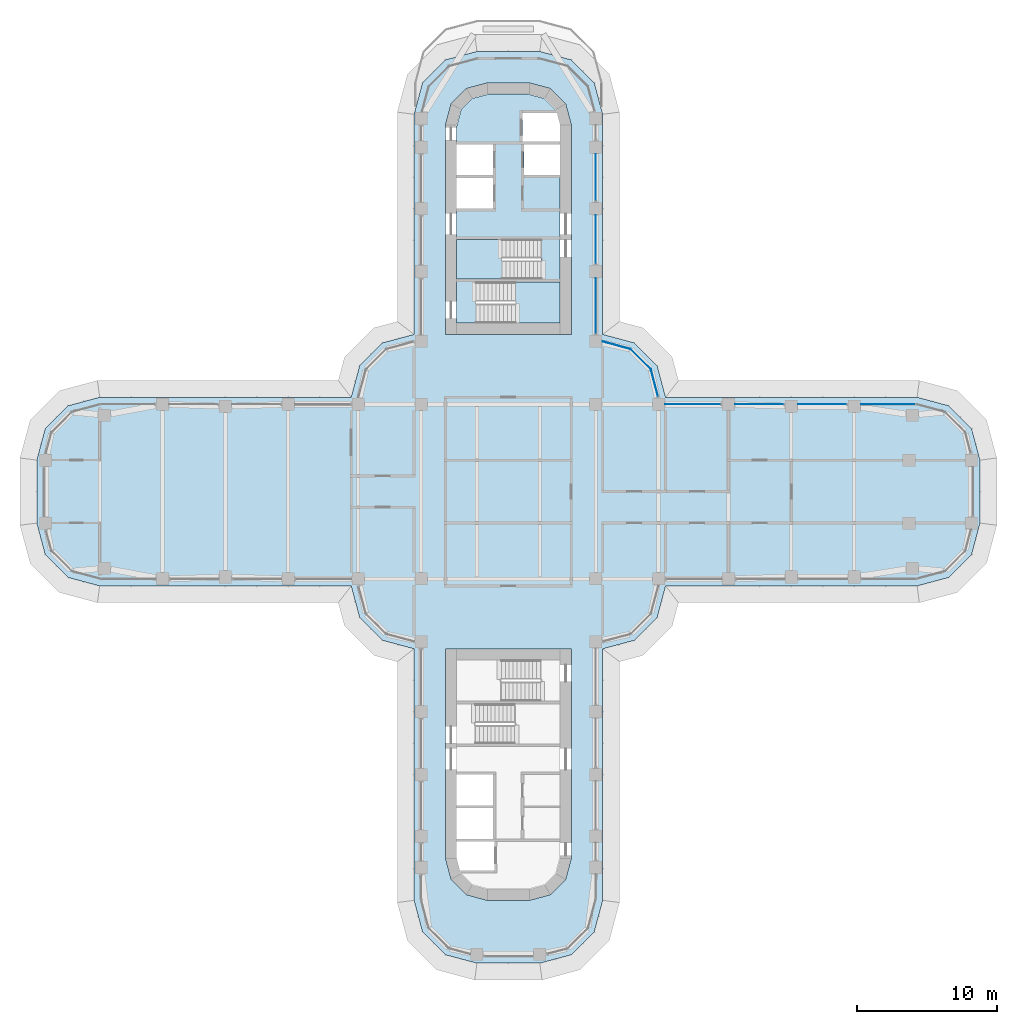
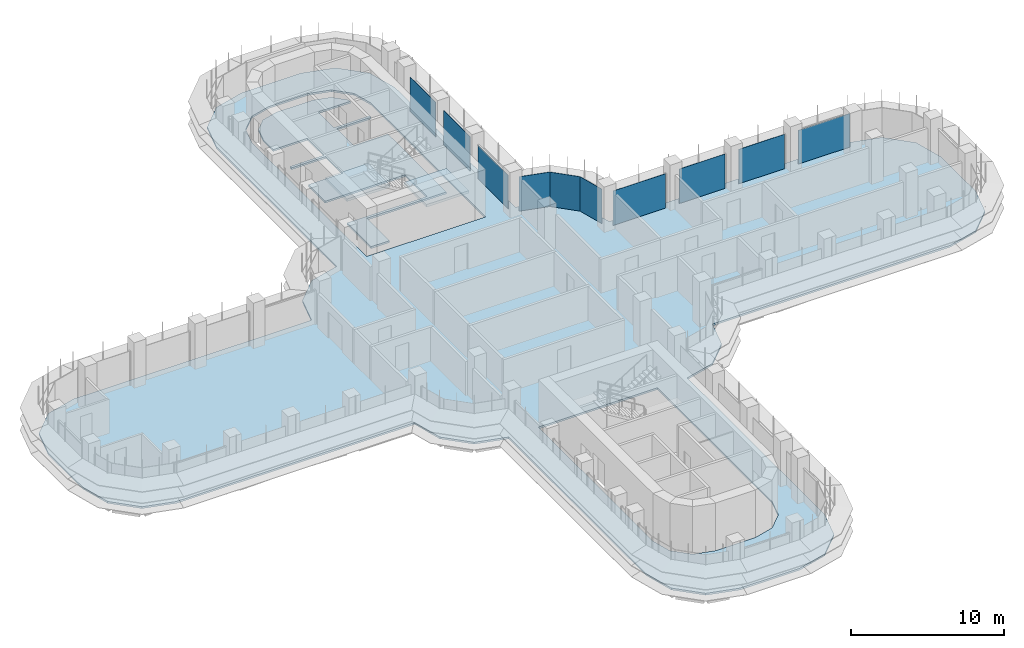
# One storey, part 14 of 22: 10 plates, 4 slabs, 7 elements without a shape of their own.
"""IFC4 building model written with IfcOpenShell, lengths in metres."""

from ifc_helpers import new_model, si_unit, direction, frame, origin, place, context, subcontext, project, spatial, polyline, outline, extrude, source, transform, mapped, material, layer, layer_set, type_object, element, aggregate, save


model = new_model("IFC4")

# Units and contexts
model_context = context("Model", 3, precision=1e-05, world=origin(), true_north=direction((0.0, 1.0)))
body_context = subcontext(model_context, "Body", "Model", "MODEL_VIEW")
ifc_project = project(units=[si_unit("LENGTHUNIT", "METRE"), si_unit("AREAUNIT", "SQUARE_METRE"), si_unit("VOLUMEUNIT", "CUBIC_METRE"), si_unit("PLANEANGLEUNIT", "RADIAN"), si_unit("MASSUNIT", "GRAM", prefix="KILO")], contexts=[model_context])

# Site, building, storey
site_placement = place(None, origin())
site = spatial("IfcSite", under=ifc_project, at=site_placement, CompositionType="ELEMENT")
building_placement = place(site_placement, origin())
building = spatial("IfcBuilding", under=site, at=building_placement, Name="Zarbagh Exchange Tower", CompositionType="ELEMENT")
storey_placement = place(building_placement, frame((0.0, 0.0, 94.199951171875)))
storey = spatial("IfcBuildingStorey", under=building, at=storey_placement, Name="L21", CompositionType="ELEMENT", Elevation=94.199951171875)

# Slabs
ifc_material_1 = material(Name="Concrete C40/50", Category="concrete")
ifc_layer_1 = layer(ifc_material_1, 0.14990234375)
ifc_layer_set_1 = layer_set([ifc_layer_1], Name="Composite floor slab 150 C40/50")
slab_type_1 = type_object("IfcSlabType", Name="Composite floor slab 150 C40/50", PredefinedType="FLOOR", material=ifc_layer_set_1)
slab_1_placement = place(storey_placement, frame((0.0, 0.0, -0.14990234375)))
element("IfcSlab", 1, at=slab_1_placement, inside=storey, type_object=slab_type_1, Name="S5 composite floor slab", PredefinedType="FLOOR", context=body_context, shape_type="SweptSolid", body=[
    extrude(outline(polyline([(-2.25, -33.75), (-4.5, -33.147216796875), (-6.147216796875, -31.5), (-6.75, -29.25), (-6.75, -11.25), (-9.0, -10.647216796875), (-10.647216796875, -9.0), (-11.25, -6.75), (-29.25, -6.75), (-31.5, -6.147216796875), (-33.147216796875, -4.5), (-33.75, -2.25), (-33.75, 2.25), (-33.147216796875, 4.5), (-31.5, 6.147216796875), (-29.25, 6.75), (-11.25, 6.75), (-10.647216796875, 9.0), (-9.0, 10.647216796875), (-6.75, 11.25), (-6.75, 27.0), (-6.147216796875, 29.25), (-4.5, 30.897216796875), (-2.25, 31.5), (2.25, 31.5), (4.5, 30.897216796875), (6.147216796875, 29.25), (6.75, 27.0), (6.75, 11.25), (9.0, 10.647216796875), (10.647216796875, 9.0), (11.25, 6.75), (29.25, 6.75), (31.5, 6.147216796875), (33.147216796875, 4.5), (33.75, 2.25), (33.75, -2.25), (33.147216796875, -4.5), (31.5, -6.147216796875), (29.25, -6.75), (11.25, -6.75), (10.647216796875, -9.0), (9.0, -10.647216796875), (6.75, -11.25), (6.75, -29.25), (6.147216796875, -31.5), (4.5, -33.147216796875), (2.25, -33.75), (-2.25, -33.75)]), holes=[polyline([(4.5, 11.25), (4.5, 26.25), (4.09814453125, 27.75), (3.0, 28.84814453125), (1.5, 29.25), (-1.5, 29.25), (-3.0, 28.84814453125), (-4.09814453125, 27.75), (-4.5, 26.25), (-4.5, 11.25), (4.5, 11.25)]), polyline([(-1.5, -29.25), (1.5, -29.25), (3.0, -28.84814453125), (4.09814453125, -27.75), (4.5, -26.25), (4.5, -11.25), (-4.5, -11.25), (-4.5, -26.25), (-4.09814453125, -27.75), (-3.0, -28.84814453125), (-1.5, -29.25)])]), origin(), (0.0, 0.0, 1.0), 0.14990234375),
])
ifc_layer_2 = layer(ifc_material_1, 0.14990234375)
ifc_layer_set_2 = layer_set([ifc_layer_2], Name="Core floor slab 150 C40/50")
slab_type_2 = type_object("IfcSlabType", Name="Core floor slab 150 C40/50", PredefinedType="FLOOR", material=ifc_layer_set_2)
slab_2_placement = place(storey_placement, frame((0.0, 0.0, -0.14990234375)))
element("IfcSlab", 2, at=slab_2_placement, inside=storey, type_object=slab_type_2, Name="S17 core N", PredefinedType="FLOOR", context=body_context, shape_type="SweptSolid", body=[
    extrude(outline(polyline([(-3.699951171875, 12.050048828125), (-3.699951171875, 15.199951171875), (2.35009765625, 15.199951171875), (2.35009765625, 18.050048828125), (-3.699951171875, 18.050048828125), (-3.699951171875, 20.25), (-1.10009765625, 20.25), (-1.10009765625, 22.449951171875), (-3.699951171875, 22.449951171875), (-3.699951171875, 22.64990234375), (-1.10009765625, 22.64990234375), (-1.10009765625, 24.85009765625), (-3.699951171875, 24.85009765625), (-3.699951171875, 26.144775390625), (-3.380859375, 27.3359375), (-2.5859375, 28.130859375), (-1.394775390625, 28.449951171875), (1.394775390625, 28.449951171875), (2.5859375, 28.130859375), (3.380859375, 27.3359375), (3.646484375, 26.3447265625), (3.444091796875, 27.10009765625), (1.0, 27.10009765625), (1.0, 25.050048828125), (3.699951171875, 25.050048828125), (3.699951171875, 24.85009765625), (1.10009765625, 24.85009765625), (1.10009765625, 22.64990234375), (3.699951171875, 22.64990234375), (3.699951171875, 15.0), (-2.300048828125, 15.0), (-2.300048828125, 12.050048828125), (-3.699951171875, 12.050048828125)])), origin(), (0.0, 0.0, 1.0), 0.14990234375),
])

# Stair, slab
stair_type = type_object("IfcStairType", Name="Exit stair two-flight half-turn", PredefinedType="HALF_TURN_STAIR", material=ifc_material_1)
stair_1_placement = place(storey_placement, origin())
stair_1 = element("IfcStair", 3, at=stair_1_placement, inside=storey, type_object=stair_type, Name="exit stair ST1", PredefinedType="HALF_TURN_STAIR")
ifc_layer_3 = layer(ifc_material_1, 0.199951171875)
ifc_layer_set_3 = layer_set([ifc_layer_3], Name="Stair landing 200 mm")
slab_type_3 = type_object("IfcSlabType", Name="Stair landing 200 mm", PredefinedType="LANDING", material=ifc_layer_set_3)
slab_3_placement = place(storey_placement, frame((0.0, 0.0, 1.699951171875)))
slab_3 = element("IfcSlab", 4, at=slab_3_placement, type_object=slab_type_3, Name="ST1 landing 1", PredefinedType="LANDING", context=body_context, shape_type="SweptSolid", body=[
    extrude(outline(polyline([(-0.449951171875, 18.050048828125), (-3.699951171875, 18.050048828125), (-3.699951171875, 15.199951171875), (-0.449951171875, 15.199951171875), (-0.449951171875, 18.050048828125)])), origin(), (0.0, 0.0, 1.0), 0.2001953125),
])
aggregate(stair_1, [slab_3])

stair_2_placement = place(storey_placement, origin())
stair_2 = element("IfcStair", 5, at=stair_2_placement, inside=storey, type_object=stair_type, Name="exit stair ST2", PredefinedType="HALF_TURN_STAIR")
slab_4_placement = place(storey_placement, frame((0.0, 0.0, 1.699951171875)))
slab_4 = element("IfcSlab", 6, at=slab_4_placement, type_object=slab_type_3, Name="ST2 landing 1", PredefinedType="LANDING", context=body_context, shape_type="SweptSolid", body=[
    extrude(outline(polyline([(0.5, 12.050048828125), (3.699951171875, 12.050048828125), (3.699951171875, 15.0), (0.5, 15.0), (0.5, 12.050048828125)])), origin(), (0.0, 0.0, 1.0), 0.2001953125),
])
aggregate(stair_2, [slab_4])

# Curtain wall, plate
ifc_material_2 = material(Name="Anodised aluminium frame and glazing", Category="aluminium")
curtain_wall_type = type_object("IfcCurtainWallType", Name="CWA Ribbon glazing, lower zones", PredefinedType="NOTDEFINED", material=ifc_material_2)
curtain_wall_1_placement = place(storey_placement, origin())
curtain_wall_1 = element("IfcCurtainWall", 7, at=curtain_wall_1_placement, inside=storey, type_object=curtain_wall_type, Name="CWA18 curtain wall", PredefinedType="NOTDEFINED")
ifc_material_3 = material(Name="Low-e double glazed unit, 6+12+6 mm")
ifc_layer_4 = layer(ifc_material_3, 0.028076171875)
ifc_layer_set_4 = layer_set([ifc_layer_4], Name="PAA Glazing panel, Low-e double glazed unit, 6+12+6 mm")
plate_type = type_object("IfcPlateType", Name="PAA Glazing panel, Low-e double glazed unit, 6+12+6 mm", PredefinedType="CURTAIN_PANEL", material=ifc_layer_set_4)
shared_shape_1 = source(origin(), body_context, "Body", "SweptSolid", [
    extrude(outline(polyline([(0.0, -0.013916015625), (2.061279296875, -0.013916015625), (2.061279296875, 0.013916015625), (0.0, 0.013916015625), (0.0, -0.013916015625)])), origin(), (0.0, 0.0, 1.0), 2.75),
])
placement = place(storey_placement, origin())
plate_1 = element("IfcPlate", 8, at=placement, type_object=plate_type, Name="CWA18 glazing panel 1.1", PredefinedType="CURTAIN_PANEL", context=body_context, shape_type="MappedRepresentation", body=[
    mapped(shared_shape_1, transform((10.19873046875, 8.7412109375, 0.0), x_axis=(-0.707106781187, 0.707106781187, 0.0), y_axis=(-0.707106781187, -0.707106781187, 0.0), z_axis=(0.0, 0.0, 1.0))),
])
aggregate(curtain_wall_1, [plate_1])

curtain_wall_2_placement = place(storey_placement, origin())
curtain_wall_2 = element("IfcCurtainWall", 9, at=curtain_wall_2_placement, inside=storey, type_object=curtain_wall_type, Name="CWA49 curtain wall", PredefinedType="NOTDEFINED")
shared_shape_2 = source(origin(), body_context, "Body", "SweptSolid", [
    extrude(outline(polyline([(0.0, -0.013916015625), (3.360107421875, -0.013916015625), (3.360107421875, 0.013916015625), (0.0, 0.013916015625), (0.0, -0.013916015625)])), origin(), (0.0, 0.0, 1.0), 2.75),
])
plate_2 = element("IfcPlate", 10, at=placement, type_object=plate_type, Name="CWA49 glazing panel 3.1", PredefinedType="CURTAIN_PANEL", context=body_context, shape_type="MappedRepresentation", body=[
    mapped(shared_shape_2, transform((6.25, 20.800048828125, 0.0), x_axis=(0.0, 1.0, 0.0), y_axis=(-1.0, 0.0, 0.0), z_axis=(0.0, 0.0, 1.0))),
])

# Curtain wall, plates
curtain_wall_3_placement = place(storey_placement, origin())
curtain_wall_3 = element("IfcCurtainWall", 11, at=curtain_wall_3_placement, inside=storey, type_object=curtain_wall_type, Name="CWA16 curtain wall", PredefinedType="NOTDEFINED")
shared_shape_3 = source(origin(), body_context, "Body", "SweptSolid", [
    extrude(outline(polyline([(0.0, -0.013916015625), (3.4599609375, -0.013916015625), (3.4599609375, 0.013916015625), (0.0, 0.013916015625), (0.0, -0.013916015625)])), origin(), (0.0, 0.0, 1.0), 2.75),
])
plate_3 = element("IfcPlate", 12, at=placement, type_object=plate_type, Name="CWA16 glazing panel 2.1", PredefinedType="CURTAIN_PANEL", context=body_context, shape_type="MappedRepresentation", body=[
    mapped(shared_shape_3, transform((24.199951171875, 6.25, 0.0), x_axis=(-1.0, 0.0, 0.0), y_axis=(0.0, -1.0, 0.0), z_axis=(0.0, 0.0, 1.0))),
])
plate_4 = element("IfcPlate", 13, at=placement, type_object=plate_type, Name="CWA16 glazing panel 3.1", PredefinedType="CURTAIN_PANEL", context=body_context, shape_type="MappedRepresentation", body=[
    mapped(shared_shape_3, transform((19.699951171875, 6.25, 0.0), x_axis=(-1.0, 0.0, 0.0), y_axis=(0.0, -1.0, 0.0), z_axis=(0.0, 0.0, 1.0))),
])

# Plate
plate_5 = element("IfcPlate", 14, at=placement, type_object=plate_type, Name="CWA49 glazing panel 2.1", PredefinedType="CURTAIN_PANEL", context=body_context, shape_type="MappedRepresentation", body=[
    mapped(shared_shape_3, transform((6.25, 16.300048828125, 0.0), x_axis=(0.0, 1.0, 0.0), y_axis=(-1.0, 0.0, 0.0), z_axis=(0.0, 0.0, 1.0))),
])

shared_shape_4 = source(origin(), body_context, "Body", "SweptSolid", [
    extrude(outline(polyline([(0.0, -0.013916015625), (3.9599609375, -0.013916015625), (3.9599609375, 0.013916015625), (0.0, 0.013916015625), (0.0, -0.013916015625)])), origin(), (0.0, 0.0, 1.0), 2.75),
])
plate_6 = element("IfcPlate", 15, at=placement, type_object=plate_type, Name="CWA16 glazing panel 4.1", PredefinedType="CURTAIN_PANEL", context=body_context, shape_type="MappedRepresentation", body=[
    mapped(shared_shape_4, transform((15.199951171875, 6.25, 0.0), x_axis=(-1.0, 0.0, 0.0), y_axis=(0.0, -1.0, 0.0), z_axis=(0.0, 0.0, 1.0))),
])

# Curtain wall, plate
curtain_wall_4_placement = place(storey_placement, origin())
curtain_wall_4 = element("IfcCurtainWall", 16, at=curtain_wall_4_placement, inside=storey, type_object=curtain_wall_type, Name="CWA17 curtain wall", PredefinedType="NOTDEFINED")
shared_shape_5 = source(origin(), body_context, "Body", "SweptSolid", [
    extrude(outline(polyline([(0.0, -0.013916015625), (2.01171875, -0.013916015625), (2.01171875, 0.013916015625), (0.0, 0.013916015625), (0.0, -0.013916015625)])), origin(), (0.0, 0.0, 1.0), 2.75),
])
plate_7 = element("IfcPlate", 17, at=placement, type_object=plate_type, Name="CWA17 glazing panel 1.1", PredefinedType="CURTAIN_PANEL", context=body_context, shape_type="MappedRepresentation", body=[
    mapped(shared_shape_5, transform((10.719482421875, 6.7978515625, 0.0), x_axis=(-0.258824779902, 0.965924289636, 0.0), y_axis=(-0.965924289636, -0.258824779902, 0.0), z_axis=(0.0, 0.0, 1.0))),
])
aggregate(curtain_wall_4, [plate_7])

curtain_wall_5_placement = place(storey_placement, origin())
curtain_wall_5 = element("IfcCurtainWall", 18, at=curtain_wall_5_placement, inside=storey, type_object=curtain_wall_type, Name="CWA19 curtain wall", PredefinedType="NOTDEFINED")
shared_shape_6 = source(origin(), body_context, "Body", "SweptSolid", [
    extrude(outline(polyline([(0.0, -0.013916015625), (2.07177734375, -0.013916015625), (2.07177734375, 0.013916015625), (0.0, 0.013916015625), (0.0, -0.013916015625)])), origin(), (0.0, 0.0, 1.0), 2.75),
])
plate_8 = element("IfcPlate", 19, at=placement, type_object=plate_type, Name="CWA19 glazing panel 1.1", PredefinedType="CURTAIN_PANEL", context=body_context, shape_type="MappedRepresentation", body=[
    mapped(shared_shape_6, transform((8.7412109375, 10.19873046875, 0.0), x_axis=(-0.965924289636, 0.258824779902, 0.0), y_axis=(-0.258824779902, -0.965924289636, 0.0), z_axis=(0.0, 0.0, 1.0))),
])
aggregate(curtain_wall_5, [plate_8])

# Plate
shared_shape_7 = source(origin(), body_context, "Body", "SweptSolid", [
    extrude(outline(polyline([(0.0, -0.013916015625), (3.9599609375, -0.013916015625), (3.9599609375, 0.013916015625), (0.0, 0.013916015625), (0.0, -0.013916015625)])), origin(), (0.0, 0.0, 1.0), 2.68994140625),
])
plate_9 = element("IfcPlate", 20, at=placement, type_object=plate_type, Name="CWA49 glazing panel 1.1", PredefinedType="CURTAIN_PANEL", context=body_context, shape_type="MappedRepresentation", body=[
    mapped(shared_shape_7, transform((6.25, 11.300048828125, 0.0), x_axis=(0.0, 1.0, 0.0), y_axis=(-1.0, 0.0, 0.0), z_axis=(0.0, 0.0, 1.0))),
])

aggregate(curtain_wall_2, [plate_9, plate_5, plate_2])

shared_shape_8 = source(origin(), body_context, "Body", "SweptSolid", [
    extrude(outline(polyline([(0.0, -0.013916015625), (3.88427734375, -0.013916015625), (3.88427734375, 0.013916015625), (0.0, 0.013916015625), (0.0, -0.013916015625)])), origin(), (0.0, 0.0, 1.0), 2.68994140625),
])
plate_10 = element("IfcPlate", 21, at=placement, type_object=plate_type, Name="CWA16 glazing panel 1.1", PredefinedType="CURTAIN_PANEL", context=body_context, shape_type="MappedRepresentation", body=[
    mapped(shared_shape_8, transform((29.124267578125, 6.25, 0.0), x_axis=(-1.0, 0.0, 0.0), y_axis=(0.0, -1.0, 0.0), z_axis=(0.0, 0.0, 1.0))),
])

aggregate(curtain_wall_3, [plate_10, plate_3, plate_4, plate_6])

save(model, "model.ifc")
